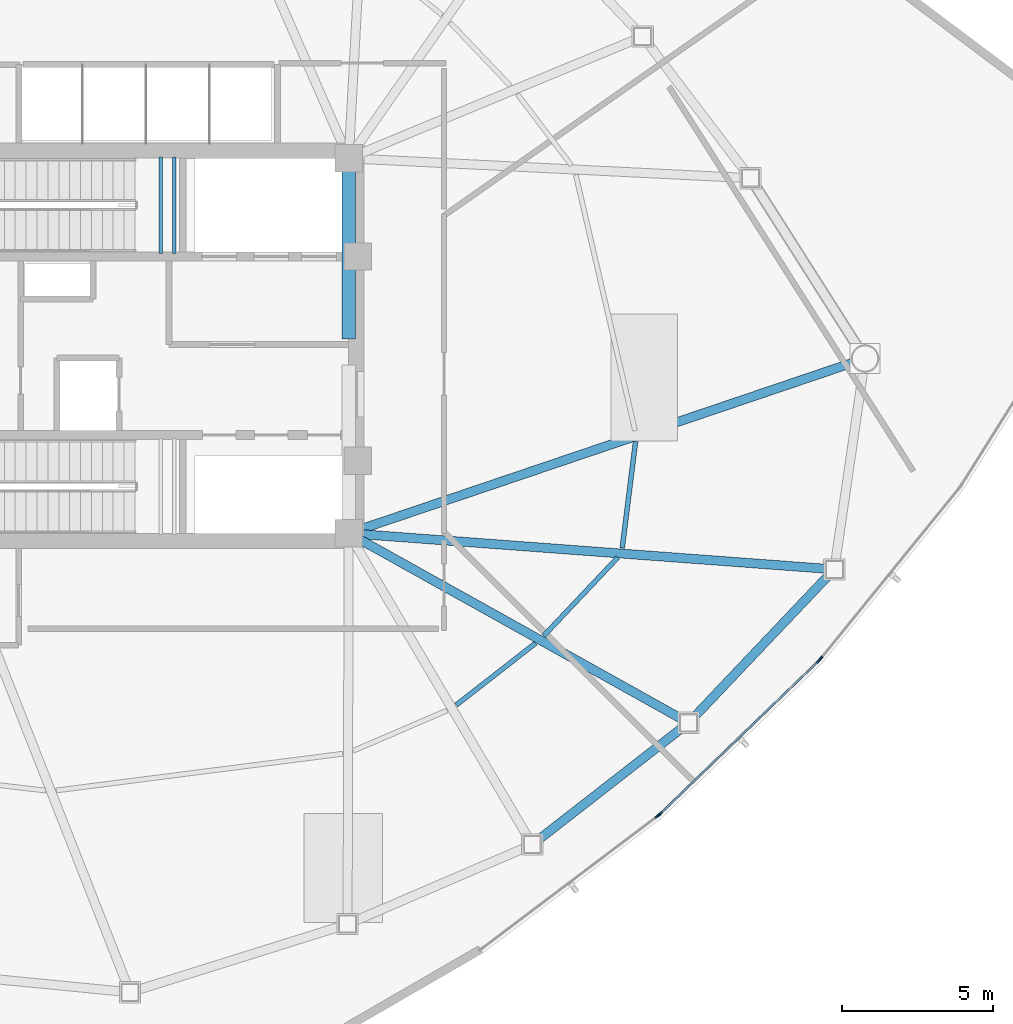
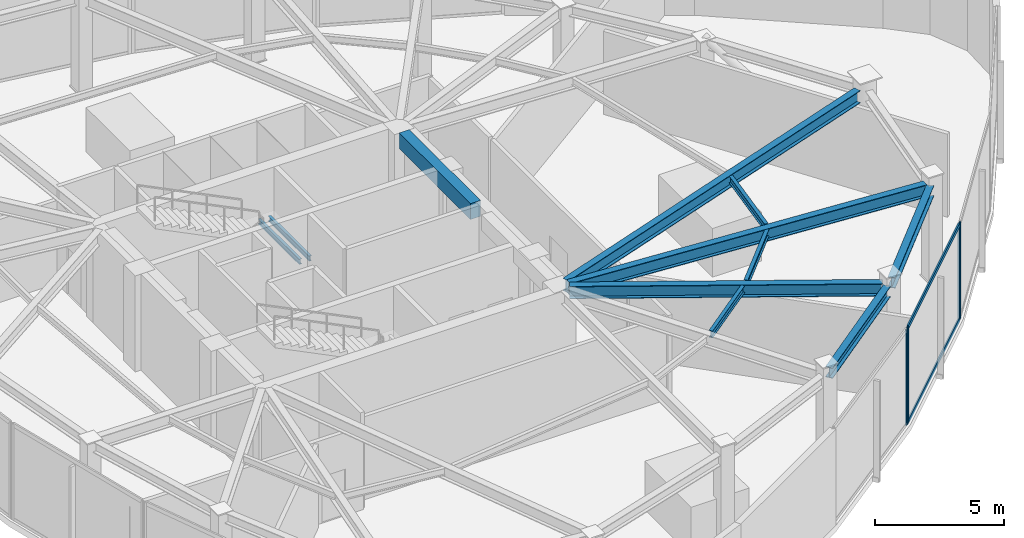
# One storey, part 5 of 17: 11 beams, 6 members, 3 elements without a shape of their own.
"""IFC4 building model written with IfcOpenShell, lengths in metres."""

from ifc_helpers import new_model, si_unit, direction, frame, origin, origin_2d, place, context, subcontext, project, spatial, rectangle, hollow_rectangle, i_section, extrude, source, transform, mapped, material, layer, layer_set, material_profile, profile_set, type_object, type_shapes, element, aggregate, save


model = new_model("IFC4")

# Units and contexts
model_context = context("Model", 3, precision=1e-05, world=origin(), true_north=direction((0.0, 1.0)))
body_context = subcontext(model_context, "Body", "Model", "MODEL_VIEW")
ifc_project = project(units=[si_unit("LENGTHUNIT", "METRE"), si_unit("AREAUNIT", "SQUARE_METRE"), si_unit("VOLUMEUNIT", "CUBIC_METRE"), si_unit("PLANEANGLEUNIT", "RADIAN"), si_unit("MASSUNIT", "GRAM", prefix="KILO")], contexts=[model_context])

# Site, building, storey
site_placement = place(None, origin())
site = spatial("IfcSite", under=ifc_project, at=site_placement, CompositionType="ELEMENT")
building_placement = place(site_placement, origin())
building = spatial("IfcBuilding", under=site, at=building_placement, Name="Tavelor Broadcast Tower", CompositionType="ELEMENT")
storey_placement = place(building_placement, frame((0.0, 0.0, 204.14990234375)))
storey = spatial("IfcBuildingStorey", under=building, at=storey_placement, Name="L49", CompositionType="ELEMENT", Elevation=204.14990234375)

# Beams
ifc_material_1 = material(Name="Concrete C40/50", Category="concrete")
ifc_material_profile_1 = material_profile(ifc_material_1, rectangle(XDim=0.449951171875, YDim=0.75, at=origin_2d()), Name="RC 450x750")
ifc_profile_set_1 = profile_set([ifc_material_profile_1], Name="Concrete C40/50")
beam_type_1 = type_object("IfcBeamType", Name="Basement Core Trim Beam 450x750", PredefinedType="BEAM", material=ifc_profile_set_1)
beam_1_placement = place(storey_placement, frame((56.60009765625, 45.23193359375, 4.175048828125), z_axis=(0.0, 1.0, 0.0), x_axis=(-1.0, 0.0, 0.0)))
element("IfcBeam", 1, at=beam_1_placement, inside=storey, type_object=beam_type_1, Name="L49 Core East-N Tie Girder", PredefinedType="BEAM", context=body_context, shape_type="SweptSolid", body=[
    extrude(rectangle(XDim=0.449951171875, YDim=0.75, at=origin_2d()), origin(), (0.0, 0.0, 1.0), 5.5361328125),
])
ifc_material_2 = material(Name="Steel S355", Category="steel")
ifc_material_profile_2 = material_profile(ifc_material_2, i_section(OverallWidth=0.159912109375, OverallDepth=0.330078125, WebThickness=0.007568359375, FlangeThickness=0.011474609375, at=origin_2d()), Name="IPE 330")
ifc_profile_set_2 = profile_set([ifc_material_profile_2], Name="Steel S355")
beam_type_2 = type_object("IfcBeamType", Name="Composite Floor Joist T4 IPE 330", PredefinedType="JOIST", material=ifc_profile_set_2)
beam_2_placement = place(storey_placement, frame((60.156005859375, 33.120361328125, 4.385009765625), z_axis=(0.788651848012, 0.614840030112, 0.0), x_axis=(-0.614840030112, 0.788651848012, 0.0)))
element("IfcBeam", 2, at=beam_2_placement, inside=storey, type_object=beam_type_2, Name="L49 Secondary Composite Floor Joist 10", PredefinedType="JOIST", context=body_context, shape_type="SweptSolid", body=[
    extrude(i_section(OverallWidth=0.159912109375, OverallDepth=0.330078125, WebThickness=0.007568359375, FlangeThickness=0.011474609375, at=origin_2d()), origin(), (0.0, 0.0, 1.0), 3.32470703125),
])
beam_3_placement = place(storey_placement, frame((63.04541015625, 35.4072265625, 4.385009765625), z_axis=(0.687334543524, 0.726340984166, 0.0), x_axis=(-0.726340984166, 0.687334543524, 0.0)))
element("IfcBeam", 3, at=beam_3_placement, inside=storey, type_object=beam_type_2, Name="L49 Secondary Composite Floor Joist 11", PredefinedType="JOIST", context=body_context, shape_type="SweptSolid", body=[
    extrude(i_section(OverallWidth=0.159912109375, OverallDepth=0.330078125, WebThickness=0.007568359375, FlangeThickness=0.011474609375, at=origin_2d()), origin(), (0.0, 0.0, 1.0), 3.567626953125),
])
beam_4_placement = place(storey_placement, frame((65.64453125, 38.3095703125, 4.385009765625), z_axis=(0.124499310057, 0.992219694319, 0.0), x_axis=(-0.992219694319, 0.124499310057, 0.0)))
element("IfcBeam", 4, at=beam_4_placement, inside=storey, type_object=beam_type_2, Name="L49 Secondary Composite Floor Joist 12", PredefinedType="JOIST", context=body_context, shape_type="SweptSolid", body=[
    extrude(i_section(OverallWidth=0.159912109375, OverallDepth=0.330078125, WebThickness=0.007568359375, FlangeThickness=0.011474609375, at=origin_2d()), origin(), (0.0, 0.0, 1.0), 3.55712890625),
])
ifc_material_profile_3 = material_profile(ifc_material_2, i_section(OverallWidth=0.300048828125, OverallDepth=0.5, WebThickness=0.014404296875, FlangeThickness=0.028076171875, at=origin_2d()), Name="HEB 500")
ifc_profile_set_3 = profile_set([ifc_material_profile_3], Name="Steel S355")
beam_type_3 = type_object("IfcBeamType", Name="Perimeter Spandrel Beam T4 HEB 500", PredefinedType="SPANDREL", material=ifc_profile_set_3)
beam_5_placement = place(storey_placement, frame((62.896484375, 28.68017578125, 4.300048828125), z_axis=(0.788978387361, 0.614420950389, 0.0), x_axis=(-0.614420950389, 0.788978387361, 0.0)))
element("IfcBeam", 5, at=beam_5_placement, inside=storey, type_object=beam_type_3, Name="L49 Framed-Tube Ring Spandrel 10", PredefinedType="SPANDREL", context=body_context, shape_type="SweptSolid", body=[
    extrude(i_section(OverallWidth=0.300048828125, OverallDepth=0.5, WebThickness=0.014404296875, FlangeThickness=0.028076171875, at=origin_2d()), origin(), (0.0, 0.0, 1.0), 5.98046875),
])
beam_6_placement = place(storey_placement, frame((68.04052734375, 32.74072265625, 4.300048828125), z_axis=(0.688387662899, 0.725342970993, 0.0), x_axis=(-0.725342970993, 0.688387662899, 0.0)))
element("IfcBeam", 6, at=beam_6_placement, inside=storey, type_object=beam_type_3, Name="L49 Framed-Tube Ring Spandrel 11", PredefinedType="SPANDREL", context=body_context, shape_type="SweptSolid", body=[
    extrude(i_section(OverallWidth=0.300048828125, OverallDepth=0.5, WebThickness=0.014404296875, FlangeThickness=0.028076171875, at=origin_2d()), origin(), (0.0, 0.0, 1.0), 6.42138671875),
])
ifc_material_profile_4 = material_profile(ifc_material_2, i_section(OverallWidth=0.300048828125, OverallDepth=0.590087890625, WebThickness=0.012939453125, FlangeThickness=0.02490234375, at=origin_2d()), Name="HEA 600")
ifc_profile_set_4 = profile_set([ifc_material_profile_4], Name="Steel S355")
beam_type_4 = type_object("IfcBeamType", Name="Radial Floor Girder T4 HEA 600", PredefinedType="BEAM", material=ifc_profile_set_4)
beam_7_placement = place(storey_placement, frame((56.977294921875, 38.589599609375, 4.255126953125), z_axis=(0.8734199139, -0.486967816187, 0.0), x_axis=(0.486967816187, 0.8734199139, 0.0)))
element("IfcBeam", 7, at=beam_7_placement, inside=storey, type_object=beam_type_4, Name="L49 Radial Primary Floor Girder 11", PredefinedType="BEAM", context=body_context, shape_type="SweptSolid", body=[
    extrude(i_section(OverallWidth=0.300048828125, OverallDepth=0.590087890625, WebThickness=0.012939453125, FlangeThickness=0.02490234375, at=origin_2d()), origin(), (0.0, 0.0, 1.0), 12.151611328125),
])
beam_8_placement = place(storey_placement, frame((57.03076171875, 38.76806640625, 4.255126953125), z_axis=(0.997253315852, -0.074066348787, 0.0), x_axis=(0.074066348787, 0.997253315852, 0.0)))
element("IfcBeam", 8, at=beam_8_placement, inside=storey, type_object=beam_type_4, Name="L49 Radial Primary Floor Girder 12", PredefinedType="BEAM", context=body_context, shape_type="SweptSolid", body=[
    extrude(i_section(OverallWidth=0.300048828125, OverallDepth=0.590087890625, WebThickness=0.012939453125, FlangeThickness=0.02490234375, at=origin_2d()), origin(), (0.0, 0.0, 1.0), 15.383544921875),
])
beam_9_placement = place(storey_placement, frame((57.00927734375, 38.9384765625, 4.255126953125), z_axis=(0.947214639948, 0.320600102727, 0.0), x_axis=(-0.320600102727, 0.947214639948, 0.0)))
element("IfcBeam", 9, at=beam_9_placement, inside=storey, type_object=beam_type_4, Name="L49 Radial Primary Floor Girder 13", PredefinedType="BEAM", context=body_context, shape_type="SweptSolid", body=[
    extrude(i_section(OverallWidth=0.300048828125, OverallDepth=0.590087890625, WebThickness=0.012939453125, FlangeThickness=0.02490234375, at=origin_2d()), origin(), (0.0, 0.0, 1.0), 17.15673828125),
])
ifc_material_profile_5 = material_profile(ifc_material_2, i_section(OverallWidth=0.1201171875, OverallDepth=0.239990234375, WebThickness=0.006103515625, FlangeThickness=0.009765625, at=origin_2d()), Name="IPE 240")
ifc_profile_set_5 = profile_set([ifc_material_profile_5], Name="Steel S355")
beam_type_5 = type_object("IfcBeamType", Name="Stairwell Landing Support Trimmer Beam IPE240", PredefinedType="BEAM", material=ifc_profile_set_5)
for number, where, z_axis, x_axis, name in (
    (10, (50.385009765625, 48.06005859375, 2.18505859375), (0.0, 1.0, 0.0), (-1.0, 0.0, 0.0), "L49 Stair Landing Support Beam 131"),
    (11, (50.824951171875, 48.06005859375, 2.18505859375), (0.0, 1.0, 0.0), (-1.0, 0.0, 0.0), "L49 Stair Landing Support Beam 132"),
):
    element("IfcBeam", number, at=place(storey_placement, frame(where, z_axis=z_axis, x_axis=x_axis)), inside=storey, type_object=beam_type_5, Name=name, PredefinedType="BEAM", context=body_context, shape_type="SweptSolid", body=[
        extrude(i_section(OverallWidth=0.1201171875, OverallDepth=0.239990234375, WebThickness=0.006103515625, FlangeThickness=0.009765625, at=origin_2d()), origin(), (0.0, 0.0, 1.0), 3.179931640625),
    ])

# Curtain wall, member
ifc_material_3 = material(Name="Architectural Anodized Aluminium", Category="aluminium")
ifc_layer = layer(ifc_material_3, 0.18994140625)
ifc_layer_set = layer_set([ifc_layer], Name="Architectural Anodized Aluminium")
curtain_wall_type = type_object("IfcCurtainWallType", Name="Tower Mid-Zone Acoustic Curtain Wall CW03", PredefinedType="NOTDEFINED", material=ifc_layer_set)
curtain_wall_1_placement = place(storey_placement, origin())
curtain_wall_1 = element("IfcCurtainWall", 12, at=curtain_wall_1_placement, inside=storey, type_object=curtain_wall_type, Name="L49 Curtain Wall CW03 Run 533", PredefinedType="NOTDEFINED")
ifc_material_profile_6 = material_profile(ifc_material_3, hollow_rectangle(XDim=0.068115234375, YDim=0.18994140625, WallThickness=0.02197265625, at=origin_2d()), Name="RHS 68x190x22")
ifc_profile_set_6 = profile_set([ifc_material_profile_6], Name="Architectural Anodized Aluminium")
member_type_1 = type_object("IfcMemberType", Name="CW03 Extruded Aluminium Mullion 68x190", PredefinedType="MULLION", material=ifc_profile_set_6)
shared_shape_1 = source(origin(), body_context, "Body", "SweptSolid", [
    extrude(hollow_rectangle(XDim=0.068115234375, YDim=0.18994140625, WallThickness=0.02197265625, at=origin_2d()), origin(), (0.0, 0.0, 1.0), 4.550048828125),
])
type_shapes(member_type_1, [shared_shape_1])
member_1_placement = place(storey_placement, frame((66.815673828125, 29.451171875, 0.0), z_axis=(0.0, 0.0, 1.0), x_axis=(-0.602164201864, 0.798372265295, 0.0)))
member_1 = element("IfcMember", 13, at=member_1_placement, type_object=member_type_1, Name="CW03 mullion 2", PredefinedType="MULLION", context=body_context, shape_type="MappedRepresentation", body=[
    mapped(shared_shape_1, transform((0.0, 0.0, 0.0), scale=1.0)),
])
aggregate(curtain_wall_1, [member_1])

# Curtain wall, members
curtain_wall_2_placement = place(storey_placement, origin())
curtain_wall_2 = element("IfcCurtainWall", 14, at=curtain_wall_2_placement, inside=storey, type_object=curtain_wall_type, Name="L49 Curtain Wall CW03 Run 534", PredefinedType="NOTDEFINED")
member_2_placement = place(storey_placement, frame((66.89013671875, 29.5146484375, 0.0), z_axis=(0.0, 0.0, 1.0), x_axis=(-0.694343606661, 0.719643631174, 0.0)))
member_2 = element("IfcMember", 15, at=member_2_placement, type_object=member_type_1, Name="CW03 mullion 1", PredefinedType="MULLION", context=body_context, shape_type="MappedRepresentation", body=[
    mapped(shared_shape_1, transform((0.0, 0.0, 0.0), scale=1.0)),
])
member_3_placement = place(storey_placement, frame((72.134521484375, 34.574951171875, 0.0), z_axis=(0.0, 0.0, 1.0), x_axis=(-0.694343606661, 0.719643631174, 0.0)))
member_3 = element("IfcMember", 16, at=member_3_placement, type_object=member_type_1, Name="CW03 mullion 2", PredefinedType="MULLION", context=body_context, shape_type="MappedRepresentation", body=[
    mapped(shared_shape_1, transform((0.0, 0.0, 0.0), scale=1.0)),
])

# Curtain wall, member
curtain_wall_3_placement = place(storey_placement, origin())
curtain_wall_3 = element("IfcCurtainWall", 17, at=curtain_wall_3_placement, inside=storey, type_object=curtain_wall_type, Name="L49 Curtain Wall CW03 Run 535", PredefinedType="NOTDEFINED")
member_4_placement = place(storey_placement, frame((72.20068359375, 34.64697265625, 0.0), z_axis=(0.0, 0.0, 1.0), x_axis=(-0.776325617953, 0.630332083041, 0.0)))
member_4 = element("IfcMember", 18, at=member_4_placement, type_object=member_type_1, Name="CW03 mullion 1", PredefinedType="MULLION", context=body_context, shape_type="MappedRepresentation", body=[
    mapped(shared_shape_1, transform((0.0, 0.0, 0.0), scale=1.0)),
])
aggregate(curtain_wall_3, [member_4])

# Member
ifc_material_profile_7 = material_profile(ifc_material_3, hollow_rectangle(XDim=0.068115234375, YDim=0.18994140625, WallThickness=0.02197265625, at=origin_2d()), Name="RHS 68x190x22")
ifc_profile_set_7 = profile_set([ifc_material_profile_7], Name="Architectural Anodized Aluminium")
member_type_2 = type_object("IfcMemberType", Name="CW03 Extruded Aluminium Transom 68x190", PredefinedType="USERDEFINED", material=ifc_profile_set_7)
shared_shape_2 = source(origin(), body_context, "Body", "SweptSolid", [
    extrude(hollow_rectangle(XDim=0.068115234375, YDim=0.18994140625, WallThickness=0.02197265625, at=origin_2d()), origin(), (0.0, 0.0, 1.0), 7.2197265625),
])
type_shapes(member_type_2, [shared_shape_2])
member_5_placement = place(storey_placement, frame((66.91455078125, 29.538330078125, 0.0341796875), z_axis=(0.719640898435, 0.694346438963, 0.0), x_axis=(-0.694346438963, 0.719640898435, 0.0)))
member_5 = element("IfcMember", 19, at=member_5_placement, type_object=member_type_2, Name="CW03 transom 1.1", ObjectType="TRANSOM", PredefinedType="USERDEFINED", context=body_context, shape_type="MappedRepresentation", body=[
    mapped(shared_shape_2, transform((0.0, 0.0, 0.0), scale=1.0)),
])

member_6_placement = place(storey_placement, frame((66.91455078125, 29.538330078125, 4.51611328125), z_axis=(0.719640898435, 0.694346438963, 0.0), x_axis=(-0.694346438963, 0.719640898435, 0.0)))
member_6 = element("IfcMember", 20, at=member_6_placement, type_object=member_type_2, Name="CW03 transom 1.2", ObjectType="TRANSOM", PredefinedType="USERDEFINED", context=body_context, shape_type="MappedRepresentation", body=[
    mapped(shared_shape_2, transform((0.0, 0.0, 0.0), scale=1.0)),
])

aggregate(curtain_wall_2, [member_2, member_3, member_5, member_6])

save(model, "model.ifc")
